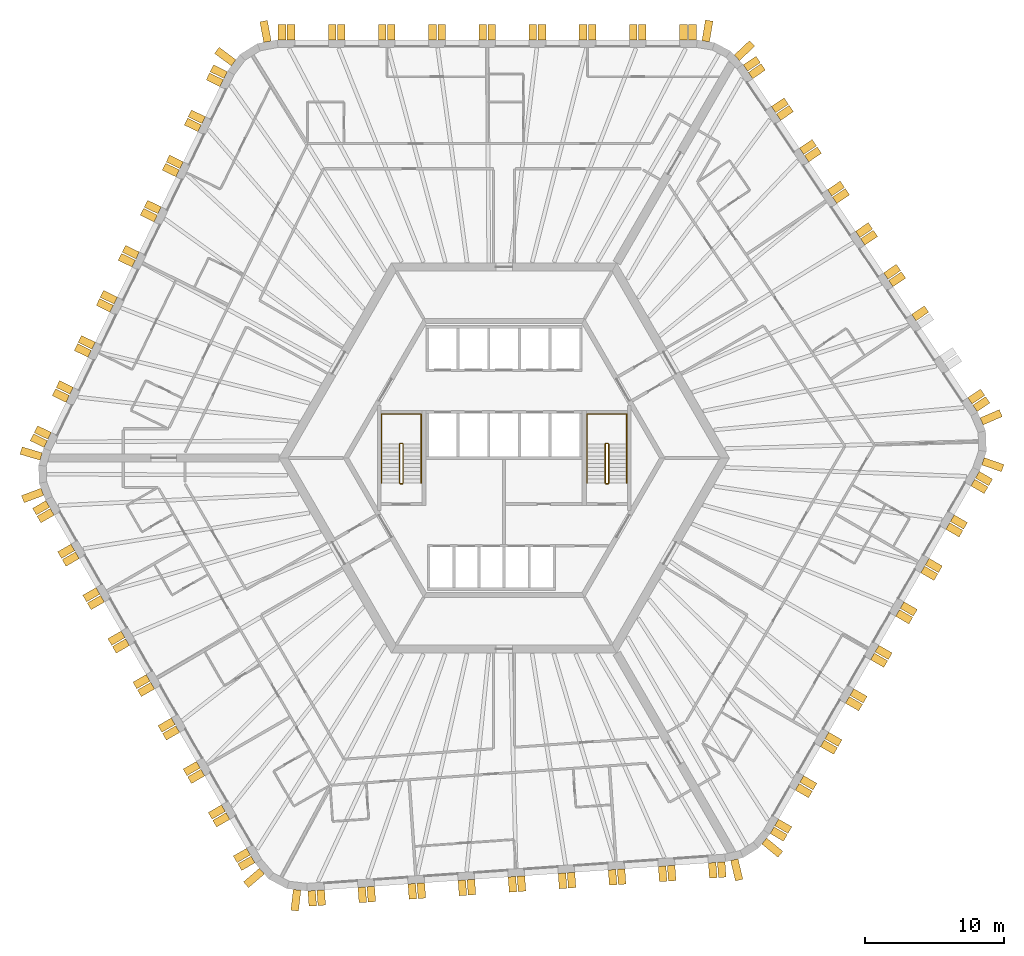
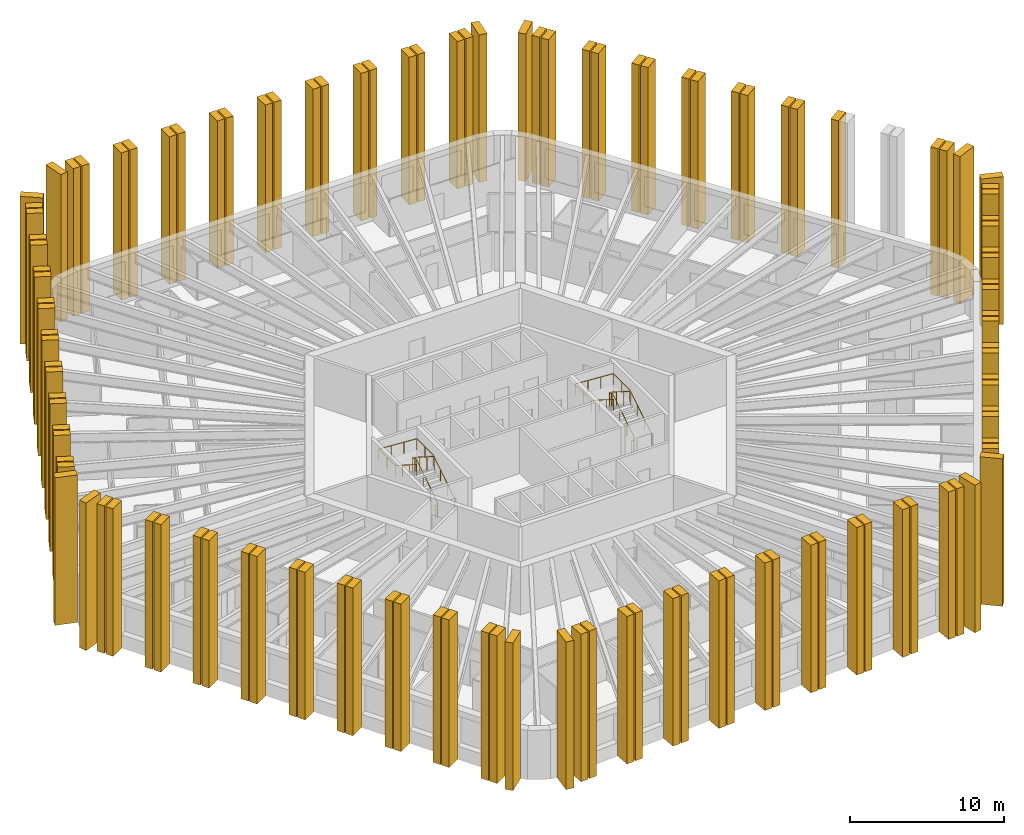
# One storey, part 11 of 12: 117 shading devices, 4 railings.
"""IFC4 building model written with IfcOpenShell, lengths in metres."""

from ifc_helpers import new_model, si_unit, direction, frame, origin, origin_2d, place, context, subcontext, project, spatial, polyline, circle, outline, extrude, material, layer, layer_set, type_object, element, save


model = new_model("IFC4")

# Units and contexts
model_context = context("Model", 3, precision=1e-05, world=origin(), true_north=direction((0.0, 1.0)))
body_context = subcontext(model_context, "Body", "Model", "MODEL_VIEW")
ifc_project = project(units=[si_unit("LENGTHUNIT", "METRE"), si_unit("AREAUNIT", "SQUARE_METRE"), si_unit("VOLUMEUNIT", "CUBIC_METRE"), si_unit("PLANEANGLEUNIT", "RADIAN"), si_unit("MASSUNIT", "GRAM", prefix="KILO")], contexts=[model_context])

# Site, building, storey
site_placement = place(None, origin())
site = spatial("IfcSite", under=ifc_project, at=site_placement, CompositionType="ELEMENT")
building_placement = place(site_placement, origin())
building = spatial("IfcBuilding", under=site, at=building_placement, Name="Tarnside Tower", CompositionType="ELEMENT")
storey_placement = place(building_placement, frame((0.0, 0.0, 49.199951171875)))
storey = spatial("IfcBuildingStorey", under=building, at=storey_placement, Name="L09", CompositionType="ELEMENT", Elevation=49.199951171875)

# Shading devices
ifc_material_1 = material(Name="Concrete C50/60 white precast", Category="concrete")
ifc_layer_1 = layer(ifc_material_1, 0.550048828125)
ifc_layer_set_1 = layer_set([ifc_layer_1], Name="Precast fin 550 x 1100")
shading_device_type_1 = type_object("IfcShadingDeviceType", Name="Precast fin 550 x 1100", PredefinedType="USERDEFINED", material=ifc_layer_set_1)
for number, where, z_axis, x_axis, name in (
    (1, (13.513916015625, 30.0, -0.14990234375), (1.0, 0.0, 0.0), (0.0, 1.0, 0.0), "Precast fin"),
    (2, (12.864013671875, 30.0, -0.14990234375), (1.0, 0.0, 0.0), (0.0, 1.0, 0.0), "Precast fin"),
    (3, (9.9140625, 30.0, -0.14990234375), (1.0, 0.0, 0.0), (0.0, 1.0, 0.0), "Precast fin"),
    (4, (9.263916015625, 30.0, -0.14990234375), (1.0, 0.0, 0.0), (0.0, 1.0, 0.0), "Precast fin"),
    (5, (6.31396484375, 30.0, -0.14990234375), (1.0, 0.0, 0.0), (0.0, 1.0, 0.0), "Precast fin"),
    (6, (5.6640625, 30.0, -0.14990234375), (1.0, 0.0, 0.0), (0.0, 1.0, 0.0), "Precast fin"),
    (7, (2.7138671875, 30.0, -0.14990234375), (1.0, 0.0, 0.0), (0.0, 1.0, 0.0), "Precast fin"),
    (8, (2.06396484375, 30.0, -0.14990234375), (1.0, 0.0, 0.0), (0.0, 1.0, 0.0), "Precast fin"),
    (9, (-0.885986328125, 30.0, -0.14990234375), (1.0, 0.0, 0.0), (0.0, 1.0, 0.0), "Precast fin"),
    (10, (-1.5361328125, 30.0, -0.14990234375), (1.0, 0.0, 0.0), (0.0, 1.0, 0.0), "Precast fin"),
    (11, (-4.486083984375, 30.0, -0.14990234375), (1.0, 0.0, 0.0), (0.0, 1.0, 0.0), "Precast fin"),
    (12, (-5.135986328125, 30.0, -0.14990234375), (1.0, 0.0, 0.0), (0.0, 1.0, 0.0), "Precast fin"),
    (13, (-8.0859375, 30.0, -0.14990234375), (1.0, 0.0, 0.0), (0.0, 1.0, 0.0), "Precast fin"),
    (14, (-8.736083984375, 30.0, -0.14990234375), (1.0, 0.0, 0.0), (0.0, 1.0, 0.0), "Precast fin"),
    (15, (-11.68603515625, 30.0, -0.14990234375), (1.0, 0.0, 0.0), (0.0, 1.0, 0.0), "Precast fin"),
    (16, (-12.3359375, 30.0, -0.14990234375), (1.0, 0.0, 0.0), (0.0, 1.0, 0.0), "Precast fin"),
    (17, (-15.2861328125, 30.0, -0.14990234375), (1.0, 0.0, 0.0), (0.0, 1.0, 0.0), "Precast fin"),
    (18, (-15.93603515625, 30.0, -0.14990234375), (1.0, 0.0, 0.0), (0.0, 1.0, 0.0), "Precast fin"),
    (19, (-19.977783203125, 27.474365234375, -0.14990234375), (0.438371146789, 0.898794046299, 0.0), (-0.898794046299, 0.438371146789, 0.0), "Precast fin"),
    (20, (-20.262939453125, 26.89013671875, -0.14990234375), (0.438371146789, 0.898794046299, 0.0), (-0.898794046299, 0.438371146789, 0.0), "Precast fin"),
    (21, (-21.555908203125, 24.23876953125, -0.14990234375), (0.438371146789, 0.898794046299, 0.0), (-0.898794046299, 0.438371146789, 0.0), "Precast fin"),
    (22, (-21.841064453125, 23.654541015625, -0.14990234375), (0.438371146789, 0.898794046299, 0.0), (-0.898794046299, 0.438371146789, 0.0), "Precast fin"),
    (23, (-23.13427734375, 21.003173828125, -0.14990234375), (0.438371146789, 0.898794046299, 0.0), (-0.898794046299, 0.438371146789, 0.0), "Precast fin"),
    (24, (-23.419189453125, 20.4189453125, -0.14990234375), (0.438371146789, 0.898794046299, 0.0), (-0.898794046299, 0.438371146789, 0.0), "Precast fin"),
    (25, (-24.71240234375, 17.767333984375, -0.14990234375), (0.438371146789, 0.898794046299, 0.0), (-0.898794046299, 0.438371146789, 0.0), "Precast fin"),
    (26, (-24.997314453125, 17.18310546875, -0.14990234375), (0.438371146789, 0.898794046299, 0.0), (-0.898794046299, 0.438371146789, 0.0), "Precast fin"),
    (27, (-26.29052734375, 14.53173828125, -0.14990234375), (0.438371146789, 0.898794046299, 0.0), (-0.898794046299, 0.438371146789, 0.0), "Precast fin"),
    (28, (-26.575439453125, 13.947509765625, -0.14990234375), (0.438371146789, 0.898794046299, 0.0), (-0.898794046299, 0.438371146789, 0.0), "Precast fin"),
    (29, (-27.86865234375, 11.296142578125, -0.14990234375), (0.438371146789, 0.898794046299, 0.0), (-0.898794046299, 0.438371146789, 0.0), "Precast fin"),
    (30, (-28.153564453125, 10.7119140625, -0.14990234375), (0.438371146789, 0.898794046299, 0.0), (-0.898794046299, 0.438371146789, 0.0), "Precast fin"),
    (31, (-29.44677734375, 8.060546875, -0.14990234375), (0.438371146789, 0.898794046299, 0.0), (-0.898794046299, 0.438371146789, 0.0), "Precast fin"),
    (32, (-29.731689453125, 7.476318359375, -0.14990234375), (0.438371146789, 0.898794046299, 0.0), (-0.898794046299, 0.438371146789, 0.0), "Precast fin"),
    (33, (-31.02490234375, 4.82470703125, -0.14990234375), (0.438371146789, 0.898794046299, 0.0), (-0.898794046299, 0.438371146789, 0.0), "Precast fin"),
    (34, (-31.309814453125, 4.240478515625, -0.14990234375), (0.438371146789, 0.898794046299, 0.0), (-0.898794046299, 0.438371146789, 0.0), "Precast fin"),
    (35, (-32.60302734375, 1.589111328125, -0.14990234375), (0.438371146789, 0.898794046299, 0.0), (-0.898794046299, 0.438371146789, 0.0), "Precast fin"),
    (36, (-32.887939453125, 1.0048828125, -0.14990234375), (0.438371146789, 0.898794046299, 0.0), (-0.898794046299, 0.438371146789, 0.0), "Precast fin"),
    (37, (-32.73779296875, -3.296630859375, -0.14990234375), (-0.5, 0.866025403784, 0.0), (-0.866025403784, -0.5, 0.0), "Precast fin"),
    (38, (-32.412841796875, -3.859375, -0.14990234375), (-0.5, 0.866025403784, 0.0), (-0.866025403784, -0.5, 0.0), "Precast fin"),
    (39, (-30.937744140625, -6.414306640625, -0.14990234375), (-0.5, 0.866025403784, 0.0), (-0.866025403784, -0.5, 0.0), "Precast fin"),
    (40, (-30.61279296875, -6.977294921875, -0.14990234375), (-0.5, 0.866025403784, 0.0), (-0.866025403784, -0.5, 0.0), "Precast fin"),
    (41, (-29.1376953125, -9.531982421875, -0.14990234375), (-0.5, 0.866025403784, 0.0), (-0.866025403784, -0.5, 0.0), "Precast fin"),
    (42, (-28.812744140625, -10.094970703125, -0.14990234375), (-0.5, 0.866025403784, 0.0), (-0.866025403784, -0.5, 0.0), "Precast fin"),
    (43, (-27.337646484375, -12.649658203125, -0.14990234375), (-0.5, 0.866025403784, 0.0), (-0.866025403784, -0.5, 0.0), "Precast fin"),
    (44, (-27.0126953125, -13.212646484375, -0.14990234375), (-0.5, 0.866025403784, 0.0), (-0.866025403784, -0.5, 0.0), "Precast fin"),
    (45, (-25.537841796875, -15.767333984375, -0.14990234375), (-0.5, 0.866025403784, 0.0), (-0.866025403784, -0.5, 0.0), "Precast fin"),
    (46, (-25.212646484375, -16.330322265625, -0.14990234375), (-0.5, 0.866025403784, 0.0), (-0.866025403784, -0.5, 0.0), "Precast fin"),
    (47, (-23.73779296875, -18.885009765625, -0.14990234375), (-0.5, 0.866025403784, 0.0), (-0.866025403784, -0.5, 0.0), "Precast fin"),
    (48, (-23.412841796875, -19.447998046875, -0.14990234375), (-0.5, 0.866025403784, 0.0), (-0.866025403784, -0.5, 0.0), "Precast fin"),
    (49, (-21.937744140625, -22.002685546875, -0.14990234375), (-0.5, 0.866025403784, 0.0), (-0.866025403784, -0.5, 0.0), "Precast fin"),
    (50, (-21.61279296875, -22.565673828125, -0.14990234375), (-0.5, 0.866025403784, 0.0), (-0.866025403784, -0.5, 0.0), "Precast fin"),
    (51, (-20.1376953125, -25.120361328125, -0.14990234375), (-0.5, 0.866025403784, 0.0), (-0.866025403784, -0.5, 0.0), "Precast fin"),
    (52, (-19.812744140625, -25.683349609375, -0.14990234375), (-0.5, 0.866025403784, 0.0), (-0.866025403784, -0.5, 0.0), "Precast fin"),
    (53, (-18.337646484375, -28.238037109375, -0.14990234375), (-0.5, 0.866025403784, 0.0), (-0.866025403784, -0.5, 0.0), "Precast fin"),
    (54, (-18.0126953125, -28.801025390625, -0.14990234375), (-0.5, 0.866025403784, 0.0), (-0.866025403784, -0.5, 0.0), "Precast fin"),
    (55, (-13.8046875, -31.03857421875, -0.14990234375), (-0.99756405026, -0.069756473744, 0.0), (0.069756473744, -0.99756405026, 0.0), "Precast fin"),
    (56, (-13.15625, -30.9931640625, -0.14990234375), (-0.99756405026, -0.069756473744, 0.0), (0.069756473744, -0.99756405026, 0.0), "Precast fin"),
    (57, (-10.21337890625, -30.787353515625, -0.14990234375), (-0.99756405026, -0.069756473744, 0.0), (0.069756473744, -0.99756405026, 0.0), "Precast fin"),
    (58, (-9.56494140625, -30.7421875, -0.14990234375), (-0.99756405026, -0.069756473744, 0.0), (0.069756473744, -0.99756405026, 0.0), "Precast fin"),
    (59, (-6.6220703125, -30.536376953125, -0.14990234375), (-0.99756405026, -0.069756473744, 0.0), (0.069756473744, -0.99756405026, 0.0), "Precast fin"),
    (60, (-5.9736328125, -30.490966796875, -0.14990234375), (-0.99756405026, -0.069756473744, 0.0), (0.069756473744, -0.99756405026, 0.0), "Precast fin"),
    (61, (-3.031005859375, -30.28515625, -0.14990234375), (-0.99756405026, -0.069756473744, 0.0), (0.069756473744, -0.99756405026, 0.0), "Precast fin"),
    (62, (-2.382568359375, -30.23974609375, -0.14990234375), (-0.99756405026, -0.069756473744, 0.0), (0.069756473744, -0.99756405026, 0.0), "Precast fin"),
    (63, (0.560302734375, -30.0341796875, -0.14990234375), (-0.99756405026, -0.069756473744, 0.0), (0.069756473744, -0.99756405026, 0.0), "Precast fin"),
    (64, (1.208740234375, -29.98876953125, -0.14990234375), (-0.99756405026, -0.069756473744, 0.0), (0.069756473744, -0.99756405026, 0.0), "Precast fin"),
    (65, (4.151611328125, -29.782958984375, -0.14990234375), (-0.99756405026, -0.069756473744, 0.0), (0.069756473744, -0.99756405026, 0.0), "Precast fin"),
    (66, (4.800048828125, -29.737548828125, -0.14990234375), (-0.99756405026, -0.069756473744, 0.0), (0.069756473744, -0.99756405026, 0.0), "Precast fin"),
    (67, (7.74267578125, -29.53173828125, -0.14990234375), (-0.99756405026, -0.069756473744, 0.0), (0.069756473744, -0.99756405026, 0.0), "Precast fin"),
    (68, (8.39111328125, -29.486572265625, -0.14990234375), (-0.99756405026, -0.069756473744, 0.0), (0.069756473744, -0.99756405026, 0.0), "Precast fin"),
    (69, (11.333984375, -29.28076171875, -0.14990234375), (-0.99756405026, -0.069756473744, 0.0), (0.069756473744, -0.99756405026, 0.0), "Precast fin"),
    (70, (11.982421875, -29.2353515625, -0.14990234375), (-0.99756405026, -0.069756473744, 0.0), (0.069756473744, -0.99756405026, 0.0), "Precast fin"),
    (71, (14.92529296875, -29.029541015625, -0.14990234375), (-0.99756405026, -0.069756473744, 0.0), (0.069756473744, -0.99756405026, 0.0), "Precast fin"),
    (72, (15.57373046875, -28.984130859375, -0.14990234375), (-0.99756405026, -0.069756473744, 0.0), (0.069756473744, -0.99756405026, 0.0), "Precast fin"),
    (73, (19.223876953125, -26.703369140625, -0.14990234375), (-0.5, -0.866025403784, 0.0), (0.866025403784, -0.5, 0.0), "Precast fin"),
    (74, (19.548828125, -26.140625, -0.14990234375), (-0.5, -0.866025403784, 0.0), (0.866025403784, -0.5, 0.0), "Precast fin"),
    (75, (21.023681640625, -23.585693359375, -0.14990234375), (-0.5, -0.866025403784, 0.0), (0.866025403784, -0.5, 0.0), "Precast fin"),
    (76, (21.348876953125, -23.022705078125, -0.14990234375), (-0.5, -0.866025403784, 0.0), (0.866025403784, -0.5, 0.0), "Precast fin"),
    (77, (22.82373046875, -20.468017578125, -0.14990234375), (-0.5, -0.866025403784, 0.0), (0.866025403784, -0.5, 0.0), "Precast fin"),
    (78, (23.148681640625, -19.905029296875, -0.14990234375), (-0.5, -0.866025403784, 0.0), (0.866025403784, -0.5, 0.0), "Precast fin"),
    (79, (24.623779296875, -17.350341796875, -0.14990234375), (-0.5, -0.866025403784, 0.0), (0.866025403784, -0.5, 0.0), "Precast fin"),
    (80, (24.94873046875, -16.787353515625, -0.14990234375), (-0.5, -0.866025403784, 0.0), (0.866025403784, -0.5, 0.0), "Precast fin"),
    (81, (26.423828125, -14.232666015625, -0.14990234375), (-0.5, -0.866025403784, 0.0), (0.866025403784, -0.5, 0.0), "Precast fin"),
    (82, (26.748779296875, -13.669677734375, -0.14990234375), (-0.5, -0.866025403784, 0.0), (0.866025403784, -0.5, 0.0), "Precast fin"),
    (83, (28.223876953125, -11.114990234375, -0.14990234375), (-0.5, -0.866025403784, 0.0), (0.866025403784, -0.5, 0.0), "Precast fin"),
    (84, (28.548828125, -10.552001953125, -0.14990234375), (-0.5, -0.866025403784, 0.0), (0.866025403784, -0.5, 0.0), "Precast fin"),
    (85, (30.023681640625, -7.997314453125, -0.14990234375), (-0.5, -0.866025403784, 0.0), (0.866025403784, -0.5, 0.0), "Precast fin"),
    (86, (30.348876953125, -7.434326171875, -0.14990234375), (-0.5, -0.866025403784, 0.0), (0.866025403784, -0.5, 0.0), "Precast fin"),
    (87, (31.82373046875, -4.879638671875, -0.14990234375), (-0.5, -0.866025403784, 0.0), (0.866025403784, -0.5, 0.0), "Precast fin"),
    (88, (32.148681640625, -4.316650390625, -0.14990234375), (-0.5, -0.866025403784, 0.0), (0.866025403784, -0.5, 0.0), "Precast fin"),
    (89, (33.623779296875, -1.761962890625, -0.14990234375), (-0.5, -0.866025403784, 0.0), (0.866025403784, -0.5, 0.0), "Precast fin"),
    (90, (33.94873046875, -1.198974609375, -0.14990234375), (-0.5, -0.866025403784, 0.0), (0.866025403784, -0.5, 0.0), "Precast fin"),
    (91, (33.782470703125, 3.564208984375, -0.14990234375), (0.559192903471, -0.829037572555, 0.0), (0.829037572555, 0.559192903471, 0.0), "Precast fin"),
    (92, (33.4189453125, 4.10302734375, -0.14990234375), (0.559192903471, -0.829037572555, 0.0), (0.829037572555, 0.559192903471, 0.0), "Precast fin"),
    (93, (29.392822265625, 10.072021484375, -0.14990234375), (0.559192903471, -0.829037572555, 0.0), (0.829037572555, 0.559192903471, 0.0), "Precast fin"),
    (94, (27.7431640625, 12.517822265625, -0.14990234375), (0.559192903471, -0.829037572555, 0.0), (0.829037572555, 0.559192903471, 0.0), "Precast fin"),
    (95, (27.379638671875, 13.056640625, -0.14990234375), (0.559192903471, -0.829037572555, 0.0), (0.829037572555, 0.559192903471, 0.0), "Precast fin"),
    (96, (25.730224609375, 15.502197265625, -0.14990234375), (0.559192903471, -0.829037572555, 0.0), (0.829037572555, 0.559192903471, 0.0), "Precast fin"),
    (97, (25.36669921875, 16.041259765625, -0.14990234375), (0.559192903471, -0.829037572555, 0.0), (0.829037572555, 0.559192903471, 0.0), "Precast fin"),
    (98, (23.717041015625, 18.48681640625, -0.14990234375), (0.559192903471, -0.829037572555, 0.0), (0.829037572555, 0.559192903471, 0.0), "Precast fin"),
    (99, (23.353515625, 19.025634765625, -0.14990234375), (0.559192903471, -0.829037572555, 0.0), (0.829037572555, 0.559192903471, 0.0), "Precast fin"),
    (100, (21.703857421875, 21.471435546875, -0.14990234375), (0.559192903471, -0.829037572555, 0.0), (0.829037572555, 0.559192903471, 0.0), "Precast fin"),
    (101, (21.34033203125, 22.01025390625, -0.14990234375), (0.559192903471, -0.829037572555, 0.0), (0.829037572555, 0.559192903471, 0.0), "Precast fin"),
    (102, (19.69091796875, 24.455810546875, -0.14990234375), (0.559192903471, -0.829037572555, 0.0), (0.829037572555, 0.559192903471, 0.0), "Precast fin"),
    (103, (19.327392578125, 24.994873046875, -0.14990234375), (0.559192903471, -0.829037572555, 0.0), (0.829037572555, 0.559192903471, 0.0), "Precast fin"),
    (104, (17.677734375, 27.4404296875, -0.14990234375), (0.559192903471, -0.829037572555, 0.0), (0.829037572555, 0.559192903471, 0.0), "Precast fin"),
    (105, (17.314208984375, 27.979248046875, -0.14990234375), (0.559192903471, -0.829037572555, 0.0), (0.829037572555, 0.559192903471, 0.0), "Precast fin"),
):
    element("IfcShadingDevice", number, at=place(storey_placement, frame(where, z_axis=z_axis, x_axis=x_axis)), inside=storey, type_object=shading_device_type_1, Name=name, ObjectType="FIN", PredefinedType="USERDEFINED", context=body_context, shape_type="SweptSolid", body=[
        extrude(outline(polyline([(0.0, 0.0), (1.10009765625, 0.0), (1.10009765625, 11.699951171875), (0.0, 11.699951171875), (0.0, 0.0)])), frame((0.0, 0.0, -0.27490234375)), (0.0, 0.0, 1.0), 0.550048828125),
    ])
ifc_layer_2 = layer(ifc_material_1, 0.550048828125)
ifc_layer_set_2 = layer_set([ifc_layer_2], Name="Precast fin 550 x 1500")
shading_device_type_2 = type_object("IfcShadingDeviceType", Name="Precast fin 550 x 1500", PredefinedType="USERDEFINED", material=ifc_layer_set_2)
for number, where, z_axis, x_axis, name in (
    (106, (-16.97509765625, 29.86767578125, -0.14990234375), (0.982720646705, 0.18509492305, 0.0), (-0.18509492305, 0.982720646705, 0.0), "Precast fin"),
    (107, (-19.403564453125, 28.35009765625, -0.14990234375), (0.597158591707, 0.802123192752, 0.0), (-0.802123192752, 0.597158591707, 0.0), "Precast fin"),
    (108, (-33.213623046875, 0.10546875, -0.14990234375), (0.286803232717, 0.957989512314, 0.0), (-0.957989512314, 0.286803232717, 0.0), "Precast fin"),
    (109, (-33.125244140625, -2.422119140625, -0.14990234375), (-0.352930564719, 0.935649515837, 0.0), (-0.935649515837, -0.352930564719, 0.0), "Precast fin"),
    (110, (-17.378662109375, -29.634765625, -0.14990234375), (-0.651657228826, 0.758513583345, 0.0), (-0.758513583345, -0.651657228826, 0.0), "Precast fin"),
    (111, (-14.850341796875, -30.97900390625, -0.14990234375), (-0.993238357741, 0.116092914131, 0.0), (-0.116092914131, -0.993238357741, 0.0), "Precast fin"),
    (112, (16.515625, -28.81640625, -0.14990234375), (-0.973044870581, -0.230615870737, 0.0), (0.230615870737, -0.973044870581, 0.0), "Precast fin"),
    (113, (18.66015625, -27.476318359375, -0.14990234375), (-0.633830967394, -0.773471592738, 0.0), (0.773471592738, -0.633830967394, 0.0), "Precast fin"),
    (114, (34.353759765625, -0.23291015625, -0.14990234375), (-0.331063417879, -0.943608506396, 0.0), (0.943608506396, -0.331063417879, 0.0), "Precast fin"),
    (115, (34.253662109375, 2.62890625, -0.14990234375), (0.396079766034, -0.918216106883, 0.0), (0.918216106883, 0.396079766034, 0.0), "Precast fin"),
    (116, (16.697998046875, 28.711181640625, -0.14990234375), (0.686241637865, -0.727373641577, 0.0), (0.727373641577, 0.686241637865, 0.0), "Precast fin"),
    (117, (14.465087890625, 29.8984375, -0.14990234375), (0.986761532114, -0.1621779231, 0.0), (0.1621779231, 0.986761532114, 0.0), "Precast fin"),
):
    element("IfcShadingDevice", number, at=place(storey_placement, frame(where, z_axis=z_axis, x_axis=x_axis)), inside=storey, type_object=shading_device_type_2, Name=name, ObjectType="FIN", PredefinedType="USERDEFINED", context=body_context, shape_type="SweptSolid", body=[
        extrude(outline(polyline([(0.0, 0.0), (1.5, 0.0), (1.5, 11.699951171875), (0.0, 11.699951171875), (0.0, 0.0)])), frame((0.0, 0.0, -0.27490234375)), (0.0, 0.0, 1.0), 0.550048828125),
    ])

# Railings
ifc_material_2 = material(Name="Stainless steel", Category="steel")
railing_type_1 = type_object("IfcRailingType", Name="Stair guard 1100", PredefinedType="GUARDRAIL", material=ifc_material_2)
railing_1_placement = place(storey_placement, frame((7.300048828125, -1.85009765625, 0.0)))
element("IfcRailing", 118, at=railing_1_placement, inside=storey, type_object=railing_type_1, Name="L09 ST1 stair guard 1", PredefinedType="GUARDRAIL", context=body_context, shape_type="SweptSolid", body=[
    extrude(circle(Radius=0.02392578125, at=origin_2d()), frame((0.0, 0.0, 1.076171875), z_axis=(1.0, 0.0, 0.0), x_axis=(0.0, 1.0, 0.0)), (0.0, 0.0, 1.0), 0.14990234375),
    extrude(circle(Radius=0.02392578125, at=origin_2d()), frame((0.14990234375, 0.0, 1.076171875), z_axis=(0.262233686654, 0.262233686654, 0.928691007369), x_axis=(-0.707106781187, 0.707106781187, 0.0)), (0.0, 0.0, 1.0), 0.19091796875),
    extrude(circle(Radius=0.02392578125, at=origin_2d()), frame((0.199951171875, 0.050048828125, 1.25341796875), z_axis=(0.0, 0.844908973607, 0.534910110503), x_axis=(-1.0, 0.0, 0.0)), (0.0, 0.0, 1.0), 3.31396484375),
    extrude(circle(Radius=0.02392578125, at=origin_2d()), frame((0.199951171875, 2.85009765625, 3.02587890625), z_axis=(-0.707106781187, 0.707106781187, 0.0), x_axis=(-0.707106781187, -0.707106781187, 0.0)), (0.0, 0.0, 1.0), 0.07080078125),
    extrude(circle(Radius=0.02392578125, at=origin_2d()), frame((0.14990234375, 2.900146484375, 3.02587890625), z_axis=(-1.0, 0.0, 0.0), x_axis=(0.0, -1.0, 0.0)), (0.0, 0.0, 1.0), 0.14990234375),
    extrude(circle(Radius=0.02392578125, at=origin_2d()), frame((0.0, 2.900146484375, 3.02587890625), z_axis=(-0.261922500866, -0.261922500866, 0.928866625022), x_axis=(0.707106781187, -0.707106781187, 0.0)), (0.0, 0.0, 1.0), 0.191162109375),
    extrude(circle(Radius=0.02392578125, at=origin_2d()), frame((-0.050048828125, 2.85009765625, 3.20361328125), z_axis=(0.0, -0.844908973607, 0.534910110503), x_axis=(1.0, 0.0, 0.0)), (0.0, 0.0, 1.0), 3.31396484375),
    extrude(circle(Radius=0.02099609375, at=origin_2d()), origin(), (0.0, 0.0, 1.0), 1.052001953125),
    extrude(circle(Radius=0.02099609375, at=origin_2d()), frame((0.14990234375, 0.0, 0.0)), (0.0, 0.0, 1.0), 1.052001953125),
    extrude(circle(Radius=0.02099609375, at=origin_2d()), frame((0.199951171875, 0.050048828125, 0.17724609375)), (0.0, 0.0, 1.0), 1.052001953125),
    extrude(circle(Radius=0.02099609375, at=origin_2d()), frame((0.199951171875, 0.9833984375, 0.76806640625)), (0.0, 0.0, 1.0), 1.052001953125),
    extrude(circle(Radius=0.02099609375, at=origin_2d()), frame((0.199951171875, 1.916748046875, 1.359130859375)), (0.0, 0.0, 1.0), 1.052001953125),
    extrude(circle(Radius=0.02099609375, at=origin_2d()), frame((0.199951171875, 2.85009765625, 1.949951171875)), (0.0, 0.0, 1.0), 1.052001953125),
    extrude(circle(Radius=0.02099609375, at=origin_2d()), frame((0.14990234375, 2.900146484375, 1.949951171875)), (0.0, 0.0, 1.0), 1.052001953125),
    extrude(circle(Radius=0.02099609375, at=origin_2d()), frame((0.0, 2.900146484375, 1.949951171875)), (0.0, 0.0, 1.0), 1.052001953125),
    extrude(circle(Radius=0.02099609375, at=origin_2d()), frame((-0.050048828125, 2.85009765625, 2.12744140625)), (0.0, 0.0, 1.0), 1.052001953125),
    extrude(circle(Radius=0.02099609375, at=origin_2d()), frame((-0.050048828125, 1.916748046875, 2.71826171875)), (0.0, 0.0, 1.0), 1.052001953125),
    extrude(circle(Radius=0.02099609375, at=origin_2d()), frame((-0.050048828125, 0.9833984375, 3.309326171875)), (0.0, 0.0, 1.0), 1.052001953125),
    extrude(circle(Radius=0.02099609375, at=origin_2d()), frame((-0.050048828125, 0.050048828125, 3.900146484375)), (0.0, 0.0, 1.0), 1.052001953125),
])
railing_2_placement = place(storey_placement, frame((-7.449951171875, -1.85009765625, 0.0)))
element("IfcRailing", 119, at=railing_2_placement, inside=storey, type_object=railing_type_1, Name="L09 ST2 stair guard 1", PredefinedType="GUARDRAIL", context=body_context, shape_type="SweptSolid", body=[
    extrude(circle(Radius=0.02392578125, at=origin_2d()), frame((0.0, 0.0, 1.076171875), z_axis=(1.0, 0.0, 0.0), x_axis=(0.0, 1.0, 0.0)), (0.0, 0.0, 1.0), 0.14990234375),
    extrude(circle(Radius=0.02392578125, at=origin_2d()), frame((0.14990234375, 0.0, 1.076171875), z_axis=(0.262233686654, 0.262233686654, 0.928691007369), x_axis=(-0.707106781187, 0.707106781187, 0.0)), (0.0, 0.0, 1.0), 0.19091796875),
    extrude(circle(Radius=0.02392578125, at=origin_2d()), frame((0.199951171875, 0.050048828125, 1.25341796875), z_axis=(0.0, 0.844908973607, 0.534910110503), x_axis=(-1.0, 0.0, 0.0)), (0.0, 0.0, 1.0), 3.31396484375),
    extrude(circle(Radius=0.02392578125, at=origin_2d()), frame((0.199951171875, 2.85009765625, 3.02587890625), z_axis=(-0.707106781187, 0.707106781187, 0.0), x_axis=(-0.707106781187, -0.707106781187, 0.0)), (0.0, 0.0, 1.0), 0.07080078125),
    extrude(circle(Radius=0.02392578125, at=origin_2d()), frame((0.14990234375, 2.900146484375, 3.02587890625), z_axis=(-1.0, 0.0, 0.0), x_axis=(0.0, -1.0, 0.0)), (0.0, 0.0, 1.0), 0.14990234375),
    extrude(circle(Radius=0.02392578125, at=origin_2d()), frame((0.0, 2.900146484375, 3.02587890625), z_axis=(-0.261922500866, -0.261922500866, 0.928866625022), x_axis=(0.707106781187, -0.707106781187, 0.0)), (0.0, 0.0, 1.0), 0.191162109375),
    extrude(circle(Radius=0.02392578125, at=origin_2d()), frame((-0.050048828125, 2.85009765625, 3.20361328125), z_axis=(0.0, -0.844908973607, 0.534910110503), x_axis=(1.0, 0.0, 0.0)), (0.0, 0.0, 1.0), 3.31396484375),
    extrude(circle(Radius=0.02099609375, at=origin_2d()), origin(), (0.0, 0.0, 1.0), 1.052001953125),
    extrude(circle(Radius=0.02099609375, at=origin_2d()), frame((0.14990234375, 0.0, 0.0)), (0.0, 0.0, 1.0), 1.052001953125),
    extrude(circle(Radius=0.02099609375, at=origin_2d()), frame((0.199951171875, 0.050048828125, 0.17724609375)), (0.0, 0.0, 1.0), 1.052001953125),
    extrude(circle(Radius=0.02099609375, at=origin_2d()), frame((0.199951171875, 0.9833984375, 0.76806640625)), (0.0, 0.0, 1.0), 1.052001953125),
    extrude(circle(Radius=0.02099609375, at=origin_2d()), frame((0.199951171875, 1.916748046875, 1.359130859375)), (0.0, 0.0, 1.0), 1.052001953125),
    extrude(circle(Radius=0.02099609375, at=origin_2d()), frame((0.199951171875, 2.85009765625, 1.949951171875)), (0.0, 0.0, 1.0), 1.052001953125),
    extrude(circle(Radius=0.02099609375, at=origin_2d()), frame((0.14990234375, 2.900146484375, 1.949951171875)), (0.0, 0.0, 1.0), 1.052001953125),
    extrude(circle(Radius=0.02099609375, at=origin_2d()), frame((0.0, 2.900146484375, 1.949951171875)), (0.0, 0.0, 1.0), 1.052001953125),
    extrude(circle(Radius=0.02099609375, at=origin_2d()), frame((-0.050048828125, 2.85009765625, 2.12744140625)), (0.0, 0.0, 1.0), 1.052001953125),
    extrude(circle(Radius=0.02099609375, at=origin_2d()), frame((-0.050048828125, 1.916748046875, 2.71826171875)), (0.0, 0.0, 1.0), 1.052001953125),
    extrude(circle(Radius=0.02099609375, at=origin_2d()), frame((-0.050048828125, 0.9833984375, 3.309326171875)), (0.0, 0.0, 1.0), 1.052001953125),
    extrude(circle(Radius=0.02099609375, at=origin_2d()), frame((-0.050048828125, 0.050048828125, 3.900146484375)), (0.0, 0.0, 1.0), 1.052001953125),
])
railing_type_2 = type_object("IfcRailingType", Name="Stair handrail 900", PredefinedType="HANDRAIL", material=ifc_material_2)
railing_3_placement = place(storey_placement, frame((8.800048828125, -1.800048828125, 0.17724609375)))
element("IfcRailing", 120, at=railing_3_placement, inside=storey, type_object=railing_type_2, Name="L09 ST1 stair handrail 1", PredefinedType="HANDRAIL", context=body_context, shape_type="SweptSolid", body=[
    extrude(circle(Radius=0.02392578125, at=origin_2d()), frame((0.0, 0.0, 0.8857421875), z_axis=(0.0, 0.844908973607, 0.534910110503), x_axis=(-1.0, 0.0, 0.0)), (0.0, 0.0, 1.0), 3.31396484375),
    extrude(circle(Radius=0.02392578125, at=origin_2d()), frame((0.0, 2.800048828125, 2.65869140625), z_axis=(0.0, 1.0, 0.0), x_axis=(-1.0, 0.0, 0.0)), (0.0, 0.0, 1.0), 2.14990234375),
    extrude(circle(Radius=0.02392578125, at=origin_2d()), frame((0.0, 4.949951171875, 2.65869140625), z_axis=(-0.998066525363, 0.0, 0.062154733933), x_axis=(0.0, -1.0, 0.0)), (0.0, 0.0, 1.0), 2.855712890625),
    extrude(circle(Radius=0.02392578125, at=origin_2d()), frame((-2.85009765625, 4.949951171875, 2.8359375), z_axis=(0.0, -1.0, 0.0), x_axis=(1.0, 0.0, 0.0)), (0.0, 0.0, 1.0), 2.14990234375),
    extrude(circle(Radius=0.02392578125, at=origin_2d()), frame((-2.85009765625, 2.800048828125, 2.8359375), z_axis=(0.0, -0.844908973607, 0.534910110503), x_axis=(1.0, 0.0, 0.0)), (0.0, 0.0, 1.0), 3.31396484375),
    extrude(circle(Radius=0.02099609375, at=origin_2d()), origin(), (0.0, 0.0, 1.0), 0.86181640625),
    extrude(circle(Radius=0.02099609375, at=origin_2d()), frame((0.0, 0.933349609375, 0.5908203125)), (0.0, 0.0, 1.0), 0.86181640625),
    extrude(circle(Radius=0.02099609375, at=origin_2d()), frame((0.0, 1.86669921875, 1.181884765625)), (0.0, 0.0, 1.0), 0.86181640625),
    extrude(circle(Radius=0.02099609375, at=origin_2d()), frame((0.0, 2.800048828125, 1.772705078125)), (0.0, 0.0, 1.0), 0.86181640625),
    extrude(circle(Radius=0.02099609375, at=origin_2d()), frame((0.0, 3.875, 1.772705078125)), (0.0, 0.0, 1.0), 0.86181640625),
    extrude(circle(Radius=0.02099609375, at=origin_2d()), frame((0.0, 4.949951171875, 1.772705078125)), (0.0, 0.0, 1.0), 0.86181640625),
    extrude(circle(Radius=0.02099609375, at=origin_2d()), frame((-0.949951171875, 4.949951171875, 1.831787109375)), (0.0, 0.0, 1.0), 0.86181640625),
    extrude(circle(Radius=0.02099609375, at=origin_2d()), frame((-1.900146484375, 4.949951171875, 1.89111328125)), (0.0, 0.0, 1.0), 0.86181640625),
    extrude(circle(Radius=0.02099609375, at=origin_2d()), frame((-2.85009765625, 4.949951171875, 1.9501953125)), (0.0, 0.0, 1.0), 0.86181640625),
    extrude(circle(Radius=0.02099609375, at=origin_2d()), frame((-2.85009765625, 3.875, 1.9501953125)), (0.0, 0.0, 1.0), 0.86181640625),
    extrude(circle(Radius=0.02099609375, at=origin_2d()), frame((-2.85009765625, 2.800048828125, 1.9501953125)), (0.0, 0.0, 1.0), 0.86181640625),
    extrude(circle(Radius=0.02099609375, at=origin_2d()), frame((-2.85009765625, 1.86669921875, 2.541015625)), (0.0, 0.0, 1.0), 0.86181640625),
    extrude(circle(Radius=0.02099609375, at=origin_2d()), frame((-2.85009765625, 0.933349609375, 3.132080078125)), (0.0, 0.0, 1.0), 0.86181640625),
    extrude(circle(Radius=0.02099609375, at=origin_2d()), frame((-2.85009765625, 0.0, 3.722900390625)), (0.0, 0.0, 1.0), 0.86181640625),
])
railing_4_placement = place(storey_placement, frame((-5.949951171875, -1.800048828125, 0.17724609375)))
element("IfcRailing", 121, at=railing_4_placement, inside=storey, type_object=railing_type_2, Name="L09 ST2 stair handrail 1", PredefinedType="HANDRAIL", context=body_context, shape_type="SweptSolid", body=[
    extrude(circle(Radius=0.02392578125, at=origin_2d()), frame((0.0, 0.0, 0.8857421875), z_axis=(0.0, 0.844908973607, 0.534910110503), x_axis=(-1.0, 0.0, 0.0)), (0.0, 0.0, 1.0), 3.31396484375),
    extrude(circle(Radius=0.02392578125, at=origin_2d()), frame((0.0, 2.800048828125, 2.65869140625), z_axis=(0.0, 1.0, 0.0), x_axis=(-1.0, 0.0, 0.0)), (0.0, 0.0, 1.0), 2.14990234375),
    extrude(circle(Radius=0.02392578125, at=origin_2d()), frame((0.0, 4.949951171875, 2.65869140625), z_axis=(-0.998066525363, 0.0, 0.062154733933), x_axis=(0.0, -1.0, 0.0)), (0.0, 0.0, 1.0), 2.855712890625),
    extrude(circle(Radius=0.02392578125, at=origin_2d()), frame((-2.85009765625, 4.949951171875, 2.8359375), z_axis=(0.0, -1.0, 0.0), x_axis=(1.0, 0.0, 0.0)), (0.0, 0.0, 1.0), 2.14990234375),
    extrude(circle(Radius=0.02392578125, at=origin_2d()), frame((-2.85009765625, 2.800048828125, 2.8359375), z_axis=(0.0, -0.844908973607, 0.534910110503), x_axis=(1.0, 0.0, 0.0)), (0.0, 0.0, 1.0), 3.31396484375),
    extrude(circle(Radius=0.02099609375, at=origin_2d()), origin(), (0.0, 0.0, 1.0), 0.86181640625),
    extrude(circle(Radius=0.02099609375, at=origin_2d()), frame((0.0, 0.933349609375, 0.5908203125)), (0.0, 0.0, 1.0), 0.86181640625),
    extrude(circle(Radius=0.02099609375, at=origin_2d()), frame((0.0, 1.86669921875, 1.181884765625)), (0.0, 0.0, 1.0), 0.86181640625),
    extrude(circle(Radius=0.02099609375, at=origin_2d()), frame((0.0, 2.800048828125, 1.772705078125)), (0.0, 0.0, 1.0), 0.86181640625),
    extrude(circle(Radius=0.02099609375, at=origin_2d()), frame((0.0, 3.875, 1.772705078125)), (0.0, 0.0, 1.0), 0.86181640625),
    extrude(circle(Radius=0.02099609375, at=origin_2d()), frame((0.0, 4.949951171875, 1.772705078125)), (0.0, 0.0, 1.0), 0.86181640625),
    extrude(circle(Radius=0.02099609375, at=origin_2d()), frame((-0.949951171875, 4.949951171875, 1.831787109375)), (0.0, 0.0, 1.0), 0.86181640625),
    extrude(circle(Radius=0.02099609375, at=origin_2d()), frame((-1.900146484375, 4.949951171875, 1.89111328125)), (0.0, 0.0, 1.0), 0.86181640625),
    extrude(circle(Radius=0.02099609375, at=origin_2d()), frame((-2.85009765625, 4.949951171875, 1.9501953125)), (0.0, 0.0, 1.0), 0.86181640625),
    extrude(circle(Radius=0.02099609375, at=origin_2d()), frame((-2.85009765625, 3.875, 1.9501953125)), (0.0, 0.0, 1.0), 0.86181640625),
    extrude(circle(Radius=0.02099609375, at=origin_2d()), frame((-2.85009765625, 2.800048828125, 1.9501953125)), (0.0, 0.0, 1.0), 0.86181640625),
    extrude(circle(Radius=0.02099609375, at=origin_2d()), frame((-2.85009765625, 1.86669921875, 2.541015625)), (0.0, 0.0, 1.0), 0.86181640625),
    extrude(circle(Radius=0.02099609375, at=origin_2d()), frame((-2.85009765625, 0.933349609375, 3.132080078125)), (0.0, 0.0, 1.0), 0.86181640625),
    extrude(circle(Radius=0.02099609375, at=origin_2d()), frame((-2.85009765625, 0.0, 3.722900390625)), (0.0, 0.0, 1.0), 0.86181640625),
])

save(model, "model.ifc")
